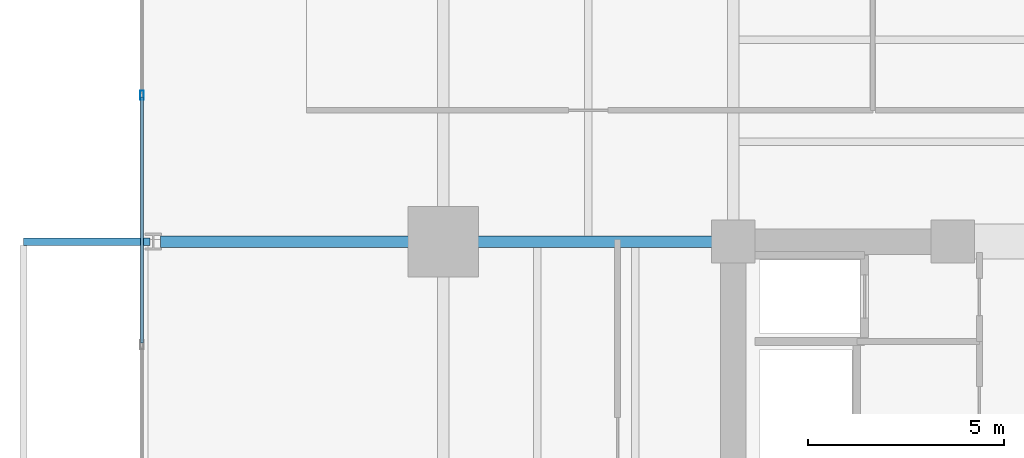
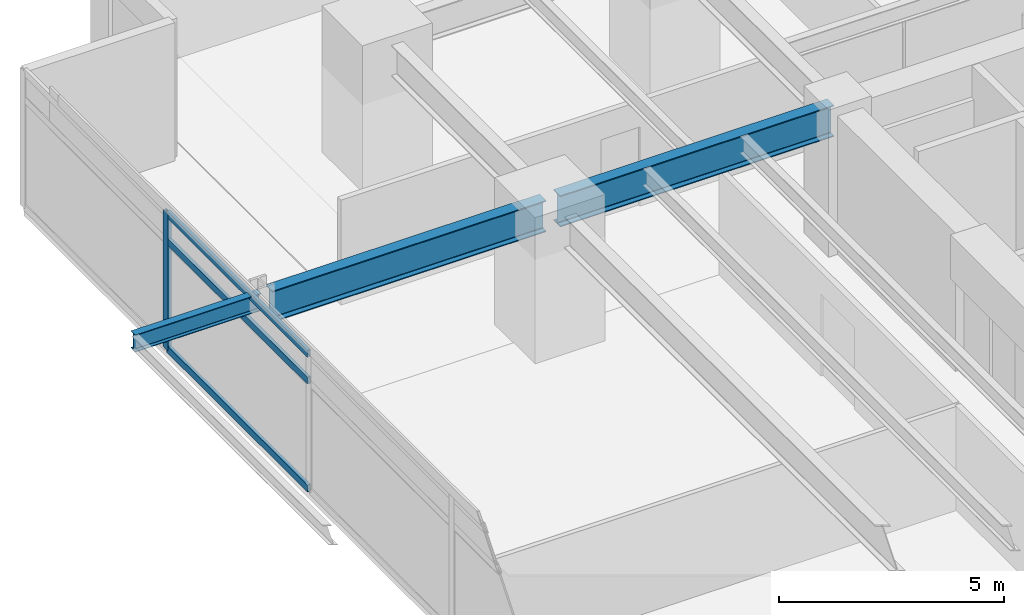
# One storey, part 10 of 22: 4 members, 3 beams, 1 element without a shape of its own.
"""IFC4 building model written with IfcOpenShell, lengths in metres."""

import ifcopenshell
import ifcopenshell.guid

model = None  # the IFC model being written
_history = None  # IfcOwnerHistory: only IFC2X3 demands one
_inside = {}  # id of a spatial element -> (the spatial element, [elements in it])
_under = {}  # id of a project, library or spatial element -> (it, [spatial elements below it])
_declared = {}  # id of a project -> (the project, [libraries it declares])
_typed = {}  # id of a type object -> (the type object, [elements of that type])
_made_of = {}  # id of a material, layer set ... -> (it, [elements and type objects made of it])


def new_model(schema):
    """Start an empty IFC model of exactly this schema.

    Asked for "IFC4X3", IfcOpenShell would pick the latest addendum, in which some entities
    have other attributes; the version numbers below select the first issue.
    IFC2X3 requires an IfcOwnerHistory on every rooted entity: one is made here for all.
    """
    global model, _history
    if schema == "IFC4X3":
        model = ifcopenshell.file(schema_version=(4, 3, 0, 0))
    else:
        model = ifcopenshell.file(schema=schema)
    _inside.clear()
    _under.clear()
    _declared.clear()
    _typed.clear()
    _made_of.clear()
    _history = None
    if model.schema == "IFC2X3":
        org = make("IfcOrganization", Name="unknown")
        user = make(
            "IfcPersonAndOrganization",
            ThePerson=make("IfcPerson", FamilyName="unknown"),
            TheOrganization=org,
        )
        app = make(
            "IfcApplication",
            ApplicationDeveloper=org,
            Version="unknown",
            ApplicationFullName="unknown",
            ApplicationIdentifier="unknown",
        )
        _history = make(
            "IfcOwnerHistory",
            OwningUser=user,
            OwningApplication=app,
            ChangeAction="ADDED",
            CreationDate=0,
        )
    return model


def make(cls, **values):
    """One entity of the class cls with the attributes given. An attribute that is None is left unset."""
    return model.create_entity(
        cls, **{name: value for name, value in values.items() if value is not None}
    )


def rooted(cls, **values):
    """An entity with a GlobalId (a new one), such as an element, a storey or a relation."""
    return make(cls, GlobalId=ifcopenshell.guid.new(), OwnerHistory=_history, **values)


def si_unit(unit_type, name, prefix=None):
    """IfcSIUnit, for example si_unit("LENGTHUNIT", "METRE", prefix="MILLI")."""
    return make("IfcSIUnit", UnitType=unit_type, Prefix=prefix, Name=name)


def assignment(units):
    """IfcUnitAssignment: the units of a project."""
    return None if units is None else make("IfcUnitAssignment", Units=units)


def point(xyz):
    """IfcCartesianPoint."""
    return None if xyz is None else make("IfcCartesianPoint", Coordinates=xyz)


def direction(xyz):
    """IfcDirection."""
    return None if xyz is None else make("IfcDirection", DirectionRatios=xyz)


def frame(location, z_axis=None, x_axis=None):
    """IfcAxis2Placement3D, a coordinate frame: its origin and axes. An axis left out is left unset."""
    return make(
        "IfcAxis2Placement3D",
        Location=point(location),
        Axis=direction(z_axis),
        RefDirection=direction(x_axis),
    )


def frame_2d(location, x_axis=None):
    """IfcAxis2Placement2D, a coordinate frame in the plane: its origin and x axis."""
    return make(
        "IfcAxis2Placement2D", Location=point(location), RefDirection=direction(x_axis)
    )


def origin():
    """The frame at (0, 0, 0) with its axes left unset."""
    return frame((0.0, 0.0, 0.0))


def origin_2d():
    """The frame at (0, 0) in the plane with its x axis left unset."""
    return frame_2d((0.0, 0.0))


def place(relative_to, where):
    """IfcLocalPlacement: puts the frame where relative to a parent placement (None: the world)."""
    return make(
        "IfcLocalPlacement", PlacementRelTo=relative_to, RelativePlacement=where
    )


def context(
    kind, dimensions, precision=None, world=None, true_north=None, identifier=None
):
    """IfcGeometricRepresentationContext, for example the 3D "Model" context."""
    return make(
        "IfcGeometricRepresentationContext",
        ContextIdentifier=identifier,
        ContextType=kind,
        CoordinateSpaceDimension=dimensions,
        Precision=precision,
        WorldCoordinateSystem=world,
        TrueNorth=true_north,
    )


def subcontext(parent, identifier, kind, view, scale=None):
    """IfcGeometricRepresentationSubContext, for example "Body" below "Model"."""
    return make(
        "IfcGeometricRepresentationSubContext",
        ContextIdentifier=identifier,
        ContextType=kind,
        ParentContext=parent,
        TargetScale=scale,
        TargetView=view,
    )


def project(units=None, contexts=None):
    """IfcProject with its units and contexts."""
    return rooted(
        "IfcProject",
        Name="project",
        RepresentationContexts=contexts,
        UnitsInContext=assignment(units),
    )


def spatial(cls, under=None, at=None, **own):
    """A site, building, storey or space (cls), placed at a placement, below another one or the project."""
    s = rooted(cls, ObjectPlacement=at, **own)
    if under is not None:
        _under.setdefault(under.id(), (under, []))[1].append(s)
    return s


def profile(cls, at=None, kind="AREA", **sizes):
    """A parametric profile (cls). Its sizes go by their IFC names, for example OverallWidth=200.0."""
    return make(cls, ProfileType=kind, Position=at, **sizes)


def hollow_rectangle(**sizes):
    """IfcRectangleHollowProfileDef."""
    return profile("IfcRectangleHollowProfileDef", **sizes)


def i_section(**sizes):
    """IfcIShapeProfileDef."""
    return profile("IfcIShapeProfileDef", **sizes)


def extrude(swept, where, along, depth):
    """IfcExtrudedAreaSolid: the profile swept, set in the frame where, extruded along a direction by depth."""
    return make(
        "IfcExtrudedAreaSolid",
        SweptArea=swept,
        Position=where,
        ExtrudedDirection=direction(along),
        Depth=depth,
    )


def shape(context_of_items, identifier, shape_type, items):
    """IfcShapeRepresentation: the items that make up one representation, for example the "Body"."""
    return make(
        "IfcShapeRepresentation",
        ContextOfItems=context_of_items,
        RepresentationIdentifier=identifier,
        RepresentationType=shape_type,
        Items=items,
    )


def material(Name=None, Category=None):
    """IfcMaterial."""
    return make("IfcMaterial", Name=Name, Category=Category)


def material_profile(
    of_material, cross_section, Name=None, Category=None, Priority=None
):
    """IfcMaterialProfile: a cross section and its material."""
    return make(
        "IfcMaterialProfile",
        Name=Name,
        Material=of_material,
        Profile=cross_section,
        Priority=Priority,
        Category=Category,
    )


def profile_set(profiles, Name=None, composite=None):
    """IfcMaterialProfileSet."""
    return make(
        "IfcMaterialProfileSet",
        Name=Name,
        MaterialProfiles=profiles,
        CompositeProfile=composite,
    )


def made_of(thing, what):
    """Note that an element or type object is made of a material, layer set ...; save() writes the relation."""
    if what is not None:
        _made_of.setdefault(what.id(), (what, []))[1].append(thing)
    return thing


def type_object(cls, material=None, **own):
    """A type object (cls), such as IfcWallType, which elements share."""
    return made_of(rooted(cls, **own), material)


def element(
    cls,
    number,
    at=None,
    inside=None,
    cuts=None,
    type_object=None,
    material=None,
    context=None,
    identifier="Body",
    shape_type=None,
    held_by="IfcProductDefinitionShape",
    body=None,
    shapes=None,
    **own,
):
    """One element of the class cls, such as IfcWall. Its Tag is "e" and its number.

    at: its placement. inside: the storey or other place that contains it. cuts: it is an
    opening in that element (IfcRelVoidsElement). A single representation is given by context,
    identifier, shape_type and body (its items); several are given by shapes. held_by: the class
    of the entity that holds the representations. save() writes the other relations.
    """
    e = rooted(cls, Tag="e%d" % number, ObjectPlacement=at, **own)
    if body is not None:
        shapes = [shape(context, identifier, shape_type, body)]
    if shapes is not None:
        e.Representation = make(held_by, Representations=shapes)
    if inside is not None:
        _inside.setdefault(inside.id(), (inside, []))[1].append(e)
    if cuts is not None:
        rooted(
            "IfcRelVoidsElement", RelatingBuildingElement=cuts, RelatedOpeningElement=e
        )
    if type_object is not None:
        _typed.setdefault(type_object.id(), (type_object, []))[1].append(e)
    return made_of(e, material)


def aggregate(whole, parts):
    """IfcRelAggregates: a whole, such as a stair, and the parts it consists of."""
    return rooted("IfcRelAggregates", RelatingObject=whole, RelatedObjects=parts)


def save(model, path):
    """Write the relations noted so far, then the file.

    IfcRelAggregates (storeys below a building ...), IfcRelContainedInSpatialStructure (elements
    in a storey), IfcRelDefinesByType, IfcRelAssociatesMaterial and IfcRelDeclares: one each for
    every whole, place, type object, material and project.
    """
    for whole, parts in _under.values():
        aggregate(whole, parts)
    for where, things in _inside.values():
        rooted(
            "IfcRelContainedInSpatialStructure",
            RelatedElements=things,
            RelatingStructure=where,
        )
    for kind, things in _typed.values():
        rooted("IfcRelDefinesByType", RelatedObjects=things, RelatingType=kind)
    for what, things in _made_of.values():
        rooted("IfcRelAssociatesMaterial", RelatedObjects=things, RelatingMaterial=what)
    for by, libraries in _declared.values():
        rooted("IfcRelDeclares", RelatingContext=by, RelatedDefinitions=libraries)
    model.write(path)


model = new_model("IFC4")

# Units and contexts
model_context = context("Model", 3, precision=1e-05, world=origin(), true_north=direction((0.0, 1.0)))
body_context = subcontext(model_context, "Body", "Model", "MODEL_VIEW")
ifc_project = project(units=[si_unit("LENGTHUNIT", "METRE"), si_unit("AREAUNIT", "SQUARE_METRE"), si_unit("VOLUMEUNIT", "CUBIC_METRE"), si_unit("PLANEANGLEUNIT", "RADIAN"), si_unit("MASSUNIT", "GRAM", prefix="KILO")], contexts=[model_context])

# Site, building, storey
site_placement = place(None, origin())
site = spatial("IfcSite", under=ifc_project, at=site_placement, CompositionType="ELEMENT")
building_placement = place(site_placement, origin())
building = spatial("IfcBuilding", under=site, at=building_placement, Name="Kovane Verandah Tower", CompositionType="ELEMENT")
storey_placement = place(building_placement, frame((0.0, 0.0, 71.60009765625)))
storey = spatial("IfcBuildingStorey", under=building, at=storey_placement, Name="L16", CompositionType="ELEMENT", Elevation=71.60009765625)

# Beams
ifc_material_1 = material(Name="Steel S355", Category="steel")
ifc_material_profile_1 = material_profile(ifc_material_1, i_section(OverallWidth=0.293701171875, OverallDepth=0.850830078125, WebThickness=0.01611328125, FlangeThickness=0.02685546875, FilletRadius=0.017822265625, at=origin_2d()), Name="UB838x292x226")
ifc_profile_set_1 = profile_set([ifc_material_profile_1], Name="Steel S355")
beam_type_1 = type_object("IfcBeamType", Name="BM-UB838x226", PredefinedType="BEAM", material=ifc_profile_set_1)
for number, where, z_axis, x_axis, name in (
    (1, (28.820068359375, 36.5, 3.33447265625), (-1.0, 0.0, 0.0), (0.0, -1.0, 0.0), "L16 Primary Tower Girder G-W2"),
    (2, (21.419921875, 36.5, 3.33447265625), (-1.0, 0.0, 0.0), (0.0, -1.0, 0.0), "L16 Primary Tower Girder G-VW2"),
):
    element("IfcBeam", number, at=place(storey_placement, frame(where, z_axis=z_axis, x_axis=x_axis)), inside=storey, type_object=beam_type_1, Name=name, PredefinedType="BEAM", context=body_context, shape_type="SweptSolid", body=[
        extrude(i_section(OverallWidth=0.293701171875, OverallDepth=0.850830078125, WebThickness=0.01611328125, FlangeThickness=0.02685546875, FilletRadius=0.017822265625, at=origin_2d()), origin(), (0.0, 0.0, 1.0), 7.0400390625),
    ])

# Curtain wall, members
ifc_material_2 = material(Name="Champagne Anodised Aluminium Frame with Low-E Clear Laminated Glass", Category="aluminium")
curtain_wall_type = type_object("IfcCurtainWallType", Name="CW-SYS-02-LOW", PredefinedType="NOTDEFINED", material=ifc_material_2)
curtain_wall_placement = place(storey_placement, origin())
curtain_wall = element("IfcCurtainWall", 3, at=curtain_wall_placement, inside=storey, type_object=curtain_wall_type, Name="L16 W Unitised Curtain Wall", PredefinedType="NOTDEFINED")
ifc_material_3 = material(Name="Champagne Anodised Aluminium 6063-T6", Category="aluminium")
ifc_material_profile_2 = material_profile(ifc_material_3, hollow_rectangle(XDim=0.0849609375, YDim=0.22998046875, WallThickness=0.00390625, at=origin_2d()), Name="AL85x230x4")
ifc_profile_set_2 = profile_set([ifc_material_profile_2], Name="Champagne Anodised Aluminium 6063-T6")
member_type_1 = type_object("IfcMemberType", Name="CW-MUL-85x230", PredefinedType="MULLION", material=ifc_profile_set_2)
member_1_placement = place(storey_placement, frame((13.91357421875, 40.233642578125, 0.02001953125), z_axis=(0.0, 0.0, 1.0), x_axis=(-1.0, 0.0, 0.0)))
member_1 = element("IfcMember", 4, at=member_1_placement, type_object=member_type_1, Name="L16 W Unitised Curtain Wall Mullion 2", PredefinedType="MULLION", context=body_context, shape_type="SweptSolid", body=[
    extrude(hollow_rectangle(XDim=0.0849609375, YDim=0.22998046875, WallThickness=0.00390625, at=origin_2d()), origin(), (0.0, 0.0, 1.0), 3.719970703125),
])
ifc_material_profile_3 = material_profile(ifc_material_3, hollow_rectangle(XDim=0.0849609375, YDim=0.18994140625, WallThickness=0.00390625, at=origin_2d()), Name="AL85x190x4")
ifc_profile_set_3 = profile_set([ifc_material_profile_3], Name="Champagne Anodised Aluminium 6063-T6")
member_type_2 = type_object("IfcMemberType", Name="CW-TRN-85x190", PredefinedType="USERDEFINED", material=ifc_profile_set_3)
member_2_placement = place(storey_placement, frame((13.91357421875, 40.18359375, 0.0498046875), z_axis=(0.0, -1.0, 0.0), x_axis=(1.0, 0.0, 0.0)))
member_2 = element("IfcMember", 5, at=member_2_placement, type_object=member_type_2, Name="L16 W Unitised Curtain Wall Transom TB Bay 2", ObjectType="TRANSOM", PredefinedType="USERDEFINED", context=body_context, shape_type="SweptSolid", body=[
    extrude(hollow_rectangle(XDim=0.0849609375, YDim=0.18994140625, WallThickness=0.00390625, at=origin_2d()), origin(), (0.0, 0.0, 1.0), 6.266845703125),
])
member_3_placement = place(storey_placement, frame((13.91357421875, 40.18359375, 2.97998046875), z_axis=(0.0, -1.0, 0.0), x_axis=(1.0, 0.0, 0.0)))
member_3 = element("IfcMember", 6, at=member_3_placement, type_object=member_type_2, Name="L16 W Unitised Curtain Wall Transom TM Bay 2", ObjectType="TRANSOM", PredefinedType="USERDEFINED", context=body_context, shape_type="SweptSolid", body=[
    extrude(hollow_rectangle(XDim=0.0849609375, YDim=0.18994140625, WallThickness=0.00390625, at=origin_2d()), origin(), (0.0, 0.0, 1.0), 6.266845703125),
])
member_4_placement = place(storey_placement, frame((13.91357421875, 40.18359375, 3.7099609375), z_axis=(0.0, -1.0, 0.0), x_axis=(1.0, 0.0, 0.0)))
member_4 = element("IfcMember", 7, at=member_4_placement, type_object=member_type_2, Name="L16 W Unitised Curtain Wall Transom TT Bay 2", ObjectType="TRANSOM", PredefinedType="USERDEFINED", context=body_context, shape_type="SweptSolid", body=[
    extrude(hollow_rectangle(XDim=0.0849609375, YDim=0.18994140625, WallThickness=0.00390625, at=origin_2d()), origin(), (0.0, 0.0, 1.0), 6.266845703125),
])
aggregate(curtain_wall, [member_1, member_2, member_3, member_4])

# Beam
ifc_material_profile_4 = material_profile(ifc_material_1, i_section(OverallWidth=0.19287109375, OverallDepth=0.46728515625, WebThickness=0.011474609375, FlangeThickness=0.01953125, FilletRadius=0.01025390625, at=origin_2d()), Name="UB457x191x98")
ifc_profile_set_4 = profile_set([ifc_material_profile_4], Name="Steel S355")
beam_type_2 = type_object("IfcBeamType", Name="JST-UB457x98", PredefinedType="JOIST", material=ifc_profile_set_4)
beam_placement = place(storey_placement, frame((14.1201171875, 36.5, 3.5263671875), z_axis=(-1.0, 0.0, 0.0), x_axis=(0.0, -1.0, 0.0)))
element("IfcBeam", 8, at=beam_placement, inside=storey, type_object=beam_type_2, Name="L16 West Planter Girder 2", PredefinedType="JOIST", context=body_context, shape_type="SweptSolid", body=[
    extrude(i_section(OverallWidth=0.19287109375, OverallDepth=0.46728515625, WebThickness=0.011474609375, FlangeThickness=0.01953125, FilletRadius=0.01025390625, at=origin_2d()), origin(), (0.0, 0.0, 1.0), 3.232421875),
])

save(model, "model.ifc")
